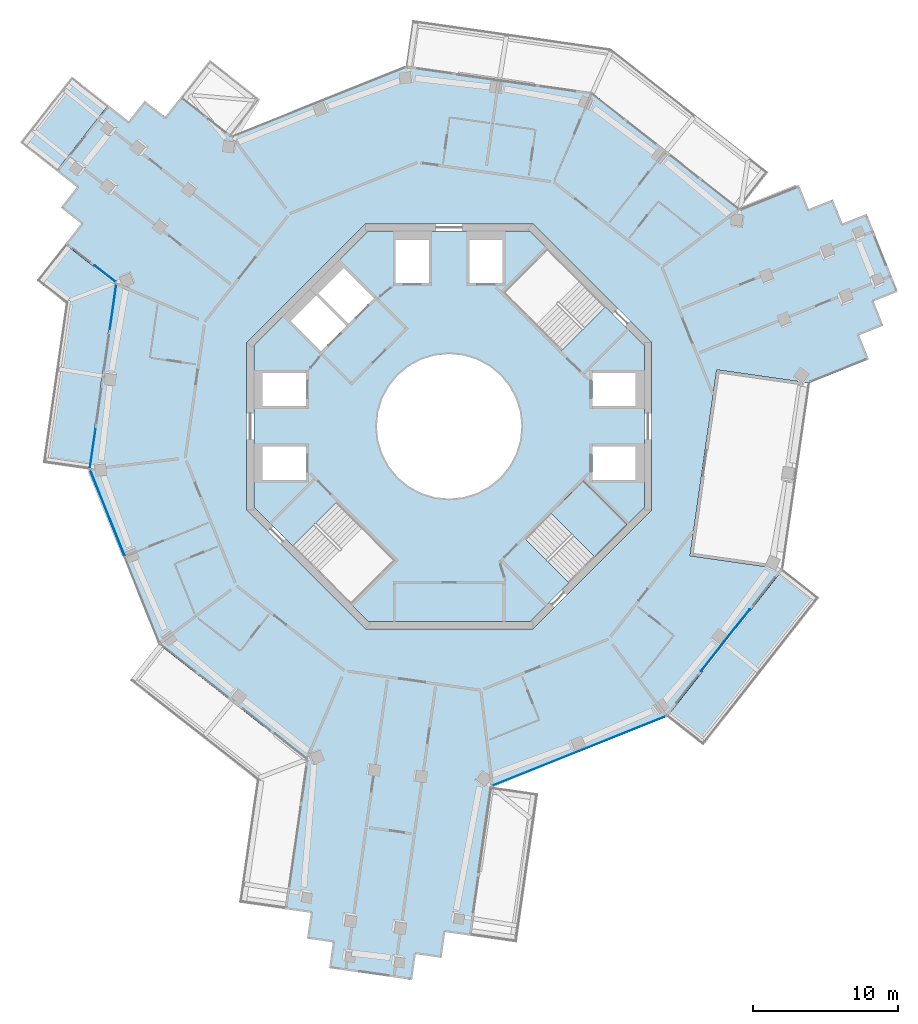
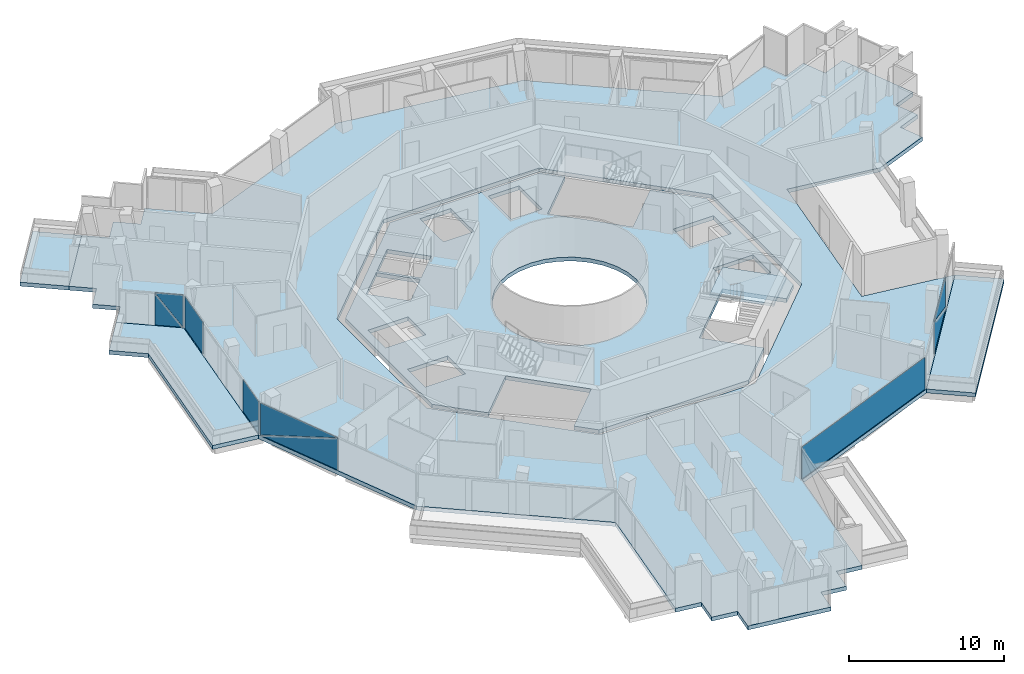
# One storey, part 12 of 23: 9 plates, 6 slabs, 6 elements without a shape of their own.
"""IFC4 building model written with IfcOpenShell, lengths in metres."""

from ifc_helpers import new_model, si_unit, direction, frame, origin, origin_2d, place, context, subcontext, project, spatial, polyline, rectangle, outline, extrude, material, layer, layer_set, type_object, element, aggregate, save


model = new_model("IFC4")

# Units and contexts
model_context = context("Model", 3, precision=1e-05, world=origin(), true_north=direction((0.0, 1.0)))
body_context = subcontext(model_context, "Body", "Model", "MODEL_VIEW")
ifc_project = project(units=[si_unit("LENGTHUNIT", "METRE"), si_unit("AREAUNIT", "SQUARE_METRE"), si_unit("VOLUMEUNIT", "CUBIC_METRE"), si_unit("PLANEANGLEUNIT", "RADIAN"), si_unit("MASSUNIT", "GRAM", prefix="KILO")], contexts=[model_context])

# Site, building, storey
site_placement = place(None, origin())
site = spatial("IfcSite", under=ifc_project, at=site_placement, CompositionType="ELEMENT")
building_placement = place(site_placement, origin())
building = spatial("IfcBuilding", under=site, at=building_placement, Name="Verdalira Terraces Hotel", CompositionType="ELEMENT")
storey_placement = place(building_placement, frame((0.0, 0.0, 244.5)))
storey = spatial("IfcBuildingStorey", under=building, at=storey_placement, Name="L60", CompositionType="ELEMENT", Elevation=244.5)

# Slabs
ifc_material_1 = material(Name="Precast concrete C40/50", Category="concrete")
ifc_layer_1 = layer(ifc_material_1, 0.31005859375)
ifc_layer_set_1 = layer_set([ifc_layer_1], Name="Balcony deck 310")
slab_type_1 = type_object("IfcSlabType", Name="Balcony deck 310", PredefinedType="FLOOR", material=ifc_layer_set_1)
slab_1_placement = place(storey_placement, frame((0.0, 0.0, -0.310059)))
element("IfcSlab", 1, at=slab_1_placement, inside=storey, type_object=slab_type_1, Name="Balcony deck", PredefinedType="FLOOR", context=body_context, shape_type="SweptSolid", body=[
    extrude(outline(polyline([(-29.680908, 19.634766), (-27.164795, 17.657471), (-23.581055, 22.218018), (-26.097168, 24.195312), (-29.680908, 19.634766)])), origin(), (0.0, 0.0, 1.0), 0.310059),
])
slab_2_placement = place(storey_placement, frame((0.0, 0.0, -0.310059)))
element("IfcSlab", 2, at=slab_2_placement, inside=storey, type_object=slab_type_1, Name="Balcony deck", PredefinedType="FLOOR", context=body_context, shape_type="SweptSolid", body=[
    extrude(outline(polyline([(-26.52002, 8.502686), (-28.103027, -2.536865), (-24.935303, -2.990967), (-23.090088, 9.877441), (-26.55835, 12.602539), (-28.5354, 10.086426), (-26.52002, 8.502686)])), origin(), (0.0, 0.0, 1.0), 0.310059),
])
slab_3_placement = place(storey_placement, frame((0.0, 0.0, -0.310059)))
element("IfcSlab", 3, at=slab_3_placement, inside=storey, type_object=slab_type_1, Name="Balcony deck", PredefinedType="FLOOR", context=body_context, shape_type="SweptSolid", body=[
    extrude(outline(polyline([(25.606201, -11.854492), (23.090088, -9.877441), (15.057861, -20.099121), (17.573975, -22.076172), (25.606201, -11.854492)])), origin(), (0.0, 0.0, 1.0), 0.310059),
])

# Curtain wall, plates
ifc_material_2 = material(Name="Clear glass", Category="glass")
ifc_layer_2 = layer(ifc_material_2, 0.14990234375)
ifc_layer_set_2 = layer_set([ifc_layer_2], Name="CW1 curtain wall")
curtain_wall_type_1 = type_object("IfcCurtainWallType", Name="CW1 curtain wall", PredefinedType="NOTDEFINED", material=ifc_layer_set_2)
curtain_wall_1_placement = place(storey_placement, origin())
curtain_wall_1 = element("IfcCurtainWall", 4, at=curtain_wall_1_placement, inside=storey, type_object=curtain_wall_type_1, Name="CW1 curtain wall L60 edge 11", PredefinedType="NOTDEFINED")
ifc_material_3 = material(Name="Clear glass", Category="glass")
ifc_layer_3 = layer(ifc_material_3, 0.028076171875)
ifc_layer_set_3 = layer_set([ifc_layer_3], Name="CW1 glass unit 28")
plate_type_1 = type_object("IfcPlateType", Name="CW1 glass unit 28", PredefinedType="CURTAIN_PANEL", material=ifc_layer_set_3)
plate_1_placement = place(storey_placement, frame((-23.247314, 8.253174, 0.0), z_axis=(0.0, 0.0, 1.0), x_axis=(-0.141937905, -0.989875563, 0.0)))
plate_1 = element("IfcPlate", 5, at=plate_1_placement, type_object=plate_type_1, Name="CW1 glass unit", PredefinedType="CURTAIN_PANEL", context=body_context, shape_type="SweptSolid", body=[
    extrude(rectangle(XDim=3.139893, YDim=0.028076, at=origin_2d()), origin(), (0.0, 0.0, 1.0), 2.524902),
])
plate_2_placement = place(storey_placement, frame((-24.652588, -1.547119, 0.0), z_axis=(0.0, 0.0, 1.0), x_axis=(-0.141937905, -0.989875563, 0.0)))
plate_2 = element("IfcPlate", 6, at=plate_2_placement, type_object=plate_type_1, Name="CW1 glass unit", PredefinedType="CURTAIN_PANEL", context=body_context, shape_type="SweptSolid", body=[
    extrude(rectangle(XDim=2.738525, YDim=0.028076, at=origin_2d()), origin(), (0.0, 0.0, 1.0), 2.524902),
])
aggregate(curtain_wall_1, [plate_1, plate_2])

curtain_wall_2_placement = place(storey_placement, origin())
curtain_wall_2 = element("IfcCurtainWall", 7, at=curtain_wall_2_placement, inside=storey, type_object=curtain_wall_type_1, Name="CW1 curtain wall L60 edge 12", PredefinedType="NOTDEFINED")
plate_3_placement = place(storey_placement, frame((-23.630615, -6.007324, 1.262451), z_axis=(-0.928226337, -0.37201595, 0.0), x_axis=(0.37201595, -0.928226337, 0.0)))
plate_3 = element("IfcPlate", 8, at=plate_3_placement, type_object=plate_type_1, Name="CW1 glass unit", PredefinedType="CURTAIN_PANEL", context=body_context, shape_type="SweptSolid", body=[
    extrude(outline(polyline([(-3.185059, -1.262451), (3.185059, -1.262451), (3.185059, 1.262451), (-3.185059, -1.262451)])), origin(), (0.0, 0.0, 1.0), 0.028076),
])
plate_4_placement = place(storey_placement, frame((-23.603516, -5.996338, 1.262451), z_axis=(-0.928226337, -0.37201595, 0.0), x_axis=(0.37201595, -0.928226337, 0.0)))
plate_4 = element("IfcPlate", 9, at=plate_4_placement, type_object=plate_type_1, Name="CW1 glass unit", PredefinedType="CURTAIN_PANEL", context=body_context, shape_type="SweptSolid", body=[
    extrude(outline(polyline([(-3.185059, -1.262451), (3.185059, 1.262451), (-3.185059, 1.262451), (-3.185059, -1.262451)])), origin(), (0.0, 0.0, 1.0), 0.028076),
])
aggregate(curtain_wall_2, [plate_3, plate_4])

# Curtain wall, plate
curtain_wall_3_placement = place(storey_placement, origin())
curtain_wall_3 = element("IfcCurtainWall", 10, at=curtain_wall_3_placement, inside=storey, type_object=curtain_wall_type_1, Name="CW1 curtain wall L60 edge 25", PredefinedType="NOTDEFINED")
plate_5_placement = place(storey_placement, frame((8.978027, -22.455078, 0.0), z_axis=(0.0, 0.0, 1.0), x_axis=(0.928226337, 0.37201595, 0.0)))
plate_5 = element("IfcPlate", 11, at=plate_5_placement, type_object=plate_type_1, Name="CW1 glass unit", PredefinedType="CURTAIN_PANEL", context=body_context, shape_type="SweptSolid", body=[
    extrude(rectangle(XDim=12.839844, YDim=0.028076, at=origin_2d()), origin(), (0.0, 0.0, 1.0), 2.524902),
])
aggregate(curtain_wall_3, [plate_5])

# Curtain wall, plates
curtain_wall_4_placement = place(storey_placement, origin())
curtain_wall_4 = element("IfcCurtainWall", 12, at=curtain_wall_4_placement, inside=storey, type_object=curtain_wall_type_1, Name="CW1 curtain wall L60 edge 26", PredefinedType="NOTDEFINED")
plate_6_placement = place(storey_placement, frame((19.11499, -14.791992, 1.262451), z_axis=(0.786288432, -0.617859613, 0.0), x_axis=(0.617859613, 0.786288432, 0.0)))
plate_6 = element("IfcPlate", 13, at=plate_6_placement, type_object=plate_type_1, Name="CW1 glass unit", PredefinedType="CURTAIN_PANEL", context=body_context, shape_type="SweptSolid", body=[
    extrude(outline(polyline([(-2.716309, -1.262451), (2.716309, -1.262451), (-2.716309, 1.262451), (-2.716309, -1.262451)])), origin(), (0.0, 0.0, 1.0), 0.028076),
])
plate_7_placement = place(storey_placement, frame((19.092041, -14.77417, 1.262451), z_axis=(0.786288432, -0.617859613, 0.0), x_axis=(0.617859613, 0.786288432, 0.0)))
plate_7 = element("IfcPlate", 14, at=plate_7_placement, type_object=plate_type_1, Name="CW1 glass unit", PredefinedType="CURTAIN_PANEL", context=body_context, shape_type="SweptSolid", body=[
    extrude(outline(polyline([(2.716309, -1.262451), (2.716309, 1.262451), (-2.716309, 1.262451), (2.716309, -1.262451)])), origin(), (0.0, 0.0, 1.0), 0.028076),
])
aggregate(curtain_wall_4, [plate_6, plate_7])

ifc_material_4 = material(Name="Clear glass", Category="glass")
ifc_layer_4 = layer(ifc_material_4, 0.14990234375)
ifc_layer_set_4 = layer_set([ifc_layer_4], Name="CW2 curtain wall")
curtain_wall_type_2 = type_object("IfcCurtainWallType", Name="CW2 curtain wall", PredefinedType="NOTDEFINED", material=ifc_layer_set_4)
curtain_wall_5_placement = place(storey_placement, origin())
curtain_wall_5 = element("IfcCurtainWall", 15, at=curtain_wall_5_placement, inside=storey, type_object=curtain_wall_type_2, Name="CW2 curtain wall L60 edge 10", PredefinedType="NOTDEFINED")
ifc_material_5 = material(Name="Clear glass", Category="glass")
ifc_layer_5 = layer(ifc_material_5, 0.031982421875)
ifc_layer_set_5 = layer_set([ifc_layer_5], Name="CW2 glass unit 32")
plate_type_2 = type_object("IfcPlateType", Name="CW2 glass unit 32", PredefinedType="CURTAIN_PANEL", material=ifc_layer_set_5)
plate_8_placement = place(storey_placement, frame((-23.804932, 10.554688, 1.262451), z_axis=(-0.617859613, -0.786288432, 0.0), x_axis=(0.786288432, -0.617859613, 0.0)))
plate_8 = element("IfcPlate", 16, at=plate_8_placement, type_object=plate_type_2, Name="CW2 glass unit", PredefinedType="CURTAIN_PANEL", context=body_context, shape_type="SweptSolid", body=[
    extrude(outline(polyline([(-0.9104, -1.262451), (0.9104, -1.262451), (-0.9104, 1.262451), (-0.9104, -1.262451)])), origin(), (0.0, 0.0, 1.0), 0.031982),
])
plate_9_placement = place(storey_placement, frame((-23.784424, 10.580566, 1.262451), z_axis=(-0.617859613, -0.786288432, 0.0), x_axis=(0.786288432, -0.617859613, 0.0)))
plate_9 = element("IfcPlate", 17, at=plate_9_placement, type_object=plate_type_2, Name="CW2 glass unit", PredefinedType="CURTAIN_PANEL", context=body_context, shape_type="SweptSolid", body=[
    extrude(outline(polyline([(0.9104, -1.262451), (0.9104, 1.262451), (-0.9104, 1.262451), (0.9104, -1.262451)])), origin(), (0.0, 0.0, 1.0), 0.031982),
])
aggregate(curtain_wall_5, [plate_8, plate_9])

# Slab
ifc_material_6 = material(Name="Concrete C40", Category="concrete")
ifc_layer_6 = layer(ifc_material_6, 0.31005859375)
ifc_layer_set_6 = layer_set([ifc_layer_6], Name="Core floor slab 310 mm")
slab_type_2 = type_object("IfcSlabType", Name="Core floor slab 310 mm", PredefinedType="FLOOR", material=ifc_layer_set_6)
slab_4_placement = place(storey_placement, frame((0.0, 0.0, -0.310059)))
element("IfcSlab", 18, at=slab_4_placement, inside=storey, type_object=slab_type_2, Name="L60 core floor", PredefinedType="FLOOR", context=body_context, shape_type="SweptSolid", body=[
    extrude(outline(polyline([(-6.77417, -12.317871), (-3.719482, -9.263184), (-7.763672, -5.21875), (-10.818359, -8.273438), (-13.5, -5.591797), (-13.5, 5.591797), (-5.591797, 13.5), (5.591797, 13.5), (6.77417, 12.317871), (3.719482, 9.263184), (7.763672, 5.21875), (10.818359, 8.273438), (13.5, 5.591797), (13.5, -5.591797), (12.317871, -6.77417), (9.263184, -3.719482), (5.21875, -7.763672), (8.273438, -10.818359), (5.591797, -13.5), (-5.591797, -13.5), (-6.77417, -12.317871)]), holes=[polyline([(9.899902, -1.399902), (9.899902, -3.699951), (12.899902, -3.699951), (12.899902, -1.399902), (9.899902, -1.399902)]), polyline([(9.899902, 3.699951), (9.899902, 1.399902), (12.899902, 1.399902), (12.899902, 3.699951), (9.899902, 3.699951)]), polyline([(3.699951, 12.899902), (1.399902, 12.899902), (1.399902, 9.899902), (3.699951, 9.899902), (3.699951, 12.899902)]), polyline([(-1.399902, 12.899902), (-3.699951, 12.899902), (-3.699951, 9.899902), (-1.399902, 9.899902), (-1.399902, 12.899902)]), polyline([(-9.899902, 1.399902), (-9.899902, 3.699951), (-12.899902, 3.699951), (-12.899902, 1.399902), (-9.899902, 1.399902)]), polyline([(-9.899902, -3.699951), (-9.899902, -1.399902), (-12.899902, -1.399902), (-12.899902, -3.699951), (-9.899902, -3.699951)]), polyline([(-9.051025, 9.192383), (-6.965088, 7.106445), (-5.197266, 8.874268), (-7.283203, 10.960205), (-9.051025, 9.192383)]), polyline([(-9.192383, 9.051025), (-10.960205, 7.283203), (-8.874268, 5.197266), (-7.106445, 6.965088), (-9.192383, 9.051025)]), polyline([(3.5354, 3.5354), (2.777832, 4.157227), (1.91333, 4.619385), (0.975586, 4.903809), (0.0, 5.0), (-0.975586, 4.903809), (-1.91333, 4.619385), (-2.777832, 4.157227), (-3.5354, 3.5354), (-4.157227, 2.777832), (-4.619385, 1.91333), (-4.903809, 0.975586), (-5.0, 0.0), (-4.903809, -0.975586), (-4.619385, -1.91333), (-4.157227, -2.777832), (-3.5354, -3.5354), (-2.777832, -4.157227), (-1.91333, -4.619385), (-0.975586, -4.903809), (0.0, -5.0), (0.975586, -4.903809), (1.91333, -4.619385), (2.777832, -4.157227), (3.5354, -3.5354), (4.157227, -2.777832), (4.619385, -1.91333), (4.903809, -0.975586), (5.0, 0.0), (4.903809, 0.975586), (4.619385, 1.91333), (4.157227, 2.777832), (3.5354, 3.5354)])]), origin(), (0.0, 0.0, 1.0), 0.310059),
])

# Stair, slab
ifc_material_7 = material(Name="Concrete C40", Category="concrete")
stair_type = type_object("IfcStairType", Name="Core stair 20 risers 2100 mm wide", PredefinedType="HALF_TURN_STAIR", material=ifc_material_7)
stair_placement = place(storey_placement, origin())
stair = element("IfcStair", 19, at=stair_placement, inside=storey, type_object=stair_type, Name="L60 Exit stair ST3", PredefinedType="HALF_TURN_STAIR")
ifc_material_8 = material(Name="Concrete C40", Category="concrete")
ifc_layer_7 = layer(ifc_material_8, 0.199951171875)
ifc_layer_set_7 = layer_set([ifc_layer_7], Name="Core stair landing 200 mm")
slab_type_3 = type_object("IfcSlabType", Name="Core stair landing 200 mm", PredefinedType="LANDING", material=ifc_layer_set_7)
slab_5_placement = place(storey_placement, frame((0.0, 0.0, 1.550049)))
slab_5 = element("IfcSlab", 20, at=slab_5_placement, type_object=slab_type_3, Name="ST3 landing 1", PredefinedType="LANDING", context=body_context, shape_type="SweptSolid", body=[
    extrude(outline(polyline([(10.054688, -9.037109), (12.303711, -6.78833), (9.263184, -3.747559), (7.01416, -5.996582), (10.054688, -9.037109)])), origin(), (0.0, 0.0, 1.0), 0.199951),
])
aggregate(stair, [slab_5])

# Slab
ifc_material_9 = material(Name="Concrete C40", Category="concrete")
ifc_layer_8 = layer(ifc_material_9, 0.31005859375)
ifc_layer_set_8 = layer_set([ifc_layer_8], Name="Floor slab 310 C40")
slab_type_4 = type_object("IfcSlabType", Name="Floor slab 310 C40", PredefinedType="FLOOR", material=ifc_layer_set_8)
slab_6_placement = place(storey_placement, frame((0.0, 0.0, -0.310059)))
element("IfcSlab", 21, at=slab_6_placement, inside=storey, type_object=slab_type_4, Name="Floor slab L60", PredefinedType="FLOOR", context=body_context, shape_type="SweptSolid", body=[
    extrude(outline(polyline([(2.990967, -24.935303), (15.058105, -20.099121), (23.089844, -9.877686), (16.655518, -8.955078), (18.500732, 3.914307), (24.935791, 2.991455), (24.935791, 2.991211), (29.029541, 4.631836), (28.360107, 6.302734), (30.030762, 6.972412), (29.361084, 8.643311), (31.031982, 9.312744), (28.874268, 14.696533), (27.203613, 14.026855), (26.533691, 15.697754), (24.863037, 15.028076), (24.193359, 16.698975), (20.099121, 15.058105), (9.877441, 23.090088), (-2.990967, 24.935303), (-15.058105, 20.099121), (-18.526123, 22.824463), (-19.638184, 21.40918), (-21.053711, 22.52124), (-22.165771, 21.105957), (-23.581055, 22.218018), (-27.164795, 17.657715), (-25.749512, 16.54541), (-26.861572, 15.130127), (-25.446289, 14.018066), (-26.55835, 12.602783), (-23.090088, 9.877441), (-24.935303, -2.990967), (-20.099121, -15.058105), (-9.877441, -23.090088), (-11.35498, -33.395508), (-9.573242, -33.651123), (-9.828857, -35.432861), (-8.047119, -35.688232), (-8.30249, -37.470215), (-2.561279, -38.293457), (-2.305664, -36.511719), (-0.523926, -36.76709), (-0.268555, -34.985352), (1.513184, -35.240723), (2.990967, -24.935303)]), holes=[polyline([(5.799072, 14.0), (14.0, 5.799072), (14.0, -5.799072), (5.799072, -14.0), (-5.799072, -14.0), (-14.0, -5.799072), (-14.0, 5.799072), (-5.799072, 14.0), (5.799072, 14.0)])]), origin(), (0.0, 0.0, 1.0), 0.310059),
])

save(model, "model.ifc")
